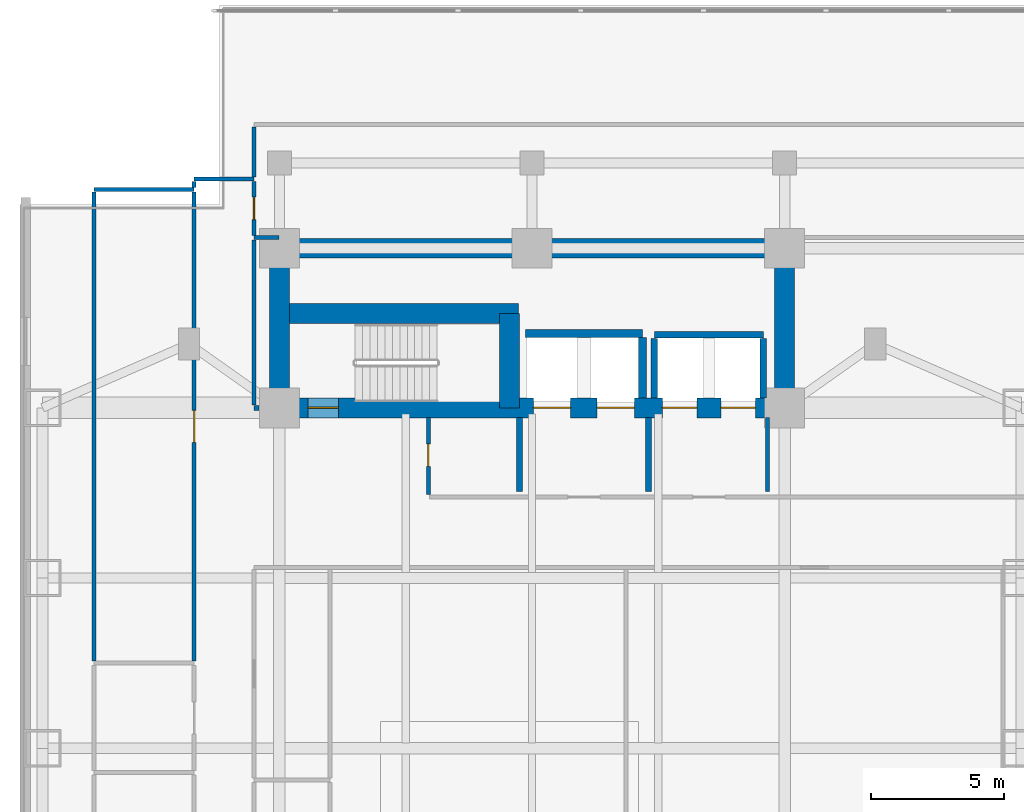
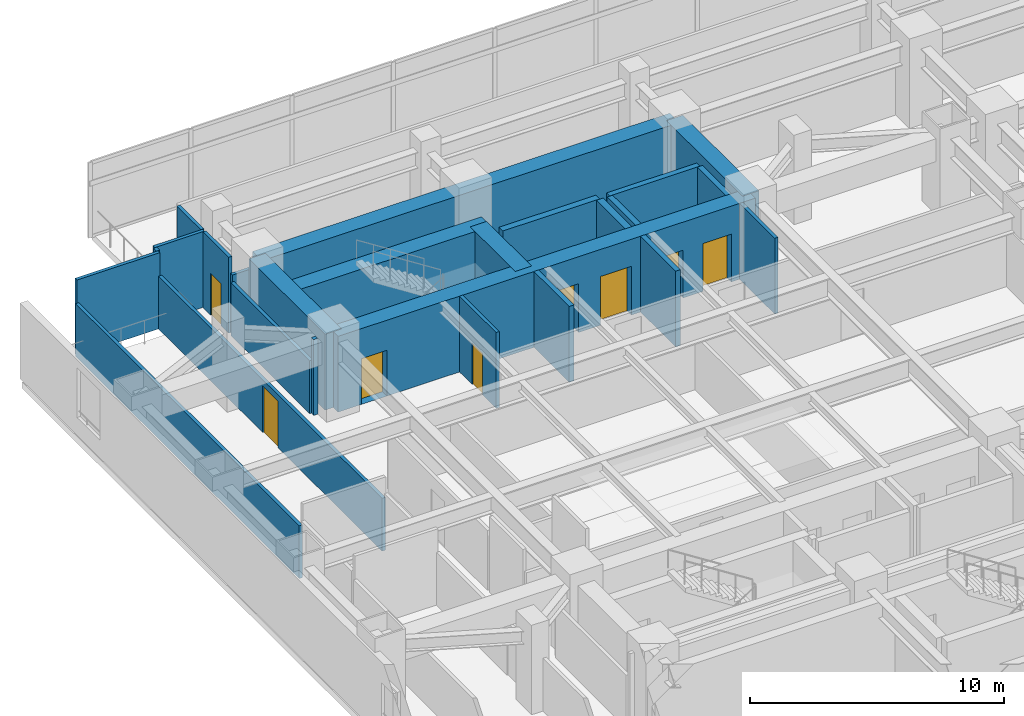
# One storey, part 15 of 26: 25 walls, 8 doors, 8 openings.
"""IFC4 building model written with IfcOpenShell, lengths in metres."""

from ifc_helpers import new_model, si_unit, direction, frame, frame_2d, origin, place, context, subcontext, project, spatial, rectangle, extrude, material, layer, layer_set, type_object, element, fill, save


model = new_model("IFC4")

# Units and contexts
model_context = context("Model", 3, precision=1e-05, world=origin(), true_north=direction((0.0, 1.0)))
body_context = subcontext(model_context, "Body", "Model", "MODEL_VIEW")
ifc_project = project(units=[si_unit("LENGTHUNIT", "METRE"), si_unit("AREAUNIT", "SQUARE_METRE"), si_unit("VOLUMEUNIT", "CUBIC_METRE"), si_unit("PLANEANGLEUNIT", "RADIAN"), si_unit("MASSUNIT", "GRAM", prefix="KILO")], contexts=[model_context])

# Site, building, storey
site_placement = place(None, origin())
site = spatial("IfcSite", under=ifc_project, at=site_placement, CompositionType="ELEMENT")
building_placement = place(site_placement, origin())
building = spatial("IfcBuilding", under=site, at=building_placement, Name="Mirazonda Arch Towers", CompositionType="ELEMENT")
storey_placement = place(building_placement, frame((0.0, 0.0, 13.800048828125)))
storey = spatial("IfcBuildingStorey", under=building, at=storey_placement, Name="L03", CompositionType="ELEMENT", Elevation=13.800048828125)

# Walls
ifc_material_1 = material(Name="Concrete C60/75", Category="concrete")
ifc_layer_1 = layer(ifc_material_1, 0.75, Name="WALL-CORE-750")
ifc_layer_set_1 = layer_set([ifc_layer_1], Name="Concrete C60/75")
wall_type_1 = type_object("IfcWallType", Name="WALL-CORE-750", PredefinedType="SHEAR", material=ifc_layer_set_1)
wall_1_placement = place(storey_placement, frame((11.0, 43.60009765625, 0.0), z_axis=(0.0, 0.0, 1.0), x_axis=(1.0, 0.0, 0.0)))
element("IfcWall", 1, at=wall_1_placement, inside=storey, type_object=wall_type_1, Name="L03 T1N-N Core Shear Wall", PredefinedType="SHEAR", context=body_context, shape_type="SweptSolid", body=[
    extrude(rectangle(XDim=19.0, YDim=0.75, at=frame_2d((9.5, 0.0))), origin(), (0.0, 0.0, 1.0), 3.64990234375),
])
for number, where, z_axis, x_axis, name in (
    (2, (11.0, 37.60009765625, 0.0), (0.0, 0.0, 1.0), (0.0, 1.0, 0.0), "L03 T1N-W Core Shear Wall"),
    (3, (30.0, 37.60009765625, 0.0), (0.0, 0.0, 1.0), (0.0, 1.0, 0.0), "L03 T1N-E Core Shear Wall"),
):
    element("IfcWall", number, at=place(storey_placement, frame(where, z_axis=z_axis, x_axis=x_axis)), inside=storey, type_object=wall_type_1, Name=name, PredefinedType="SHEAR", context=body_context, shape_type="SweptSolid", body=[
        extrude(rectangle(XDim=6.0, YDim=0.75, at=frame_2d((3.0, 0.0))), origin(), (0.0, 0.0, 1.0), 3.64990234375),
    ])

# Wall, openings, doors
wall_2_placement = place(storey_placement, frame((11.0, 37.60009765625, 0.0), z_axis=(0.0, 0.0, 1.0), x_axis=(1.0, 0.0, 0.0)))
wall_2 = element("IfcWall", 4, at=wall_2_placement, inside=storey, type_object=wall_type_1, Name="L03 T1N-S Core Shear Wall", PredefinedType="SHEAR", context=body_context, shape_type="SweptSolid", body=[
    extrude(rectangle(XDim=19.0, YDim=0.75, at=frame_2d((9.5, 0.0))), origin(), (0.0, 0.0, 1.0), 3.64990234375),
])
opening_1_placement = place(wall_2_placement, frame((1.070068359375, 0.0, 0.0)))
opening_1 = element("IfcOpeningElement", 5, at=opening_1_placement, cuts=wall_2, Name="Opening DR-135", PredefinedType="OPENING", context=body_context, shape_type="SweptSolid", body=[
    extrude(rectangle(XDim=1.14990234375, YDim=2.199951171875, at=frame_2d((0.574951171875, 1.10009765625))), frame((0.0, 0.385009765625, 0.0), z_axis=(0.0, -1.0, 0.0), x_axis=(1.0, 0.0, 0.0)), (0.0, 0.0, 1.0), 0.77001953125),
])
opening_2_placement = place(wall_2_placement, frame((9.550048828125, 0.0, 0.0)))
opening_2 = element("IfcOpeningElement", 6, at=opening_2_placement, cuts=wall_2, Name="Opening LD-112", PredefinedType="OPENING", context=body_context, shape_type="SweptSolid", body=[
    extrude(rectangle(XDim=1.39990234375, YDim=2.35009765625, at=frame_2d((0.699951171875, 1.175048828125))), frame((0.0, 0.385009765625, 0.0), z_axis=(0.0, -1.0, 0.0), x_axis=(1.0, 0.0, 0.0)), (0.0, 0.0, 1.0), 0.77001953125),
])
opening_3_placement = place(wall_2_placement, frame((11.949951171875, 0.0, 0.0)))
opening_3 = element("IfcOpeningElement", 7, at=opening_3_placement, cuts=wall_2, Name="Opening LD-112", PredefinedType="OPENING", context=body_context, shape_type="SweptSolid", body=[
    extrude(rectangle(XDim=1.39990234375, YDim=2.35009765625, at=frame_2d((0.699951171875, 1.175048828125))), frame((0.0, 0.385009765625, 0.0), z_axis=(0.0, -1.0, 0.0), x_axis=(1.0, 0.0, 0.0)), (0.0, 0.0, 1.0), 0.77001953125),
])
opening_4_placement = place(wall_2_placement, frame((14.39990234375, 0.0, 0.0)))
opening_4 = element("IfcOpeningElement", 8, at=opening_4_placement, cuts=wall_2, Name="Opening LD-111", PredefinedType="OPENING", context=body_context, shape_type="SweptSolid", body=[
    extrude(rectangle(XDim=1.300048828125, YDim=2.300048828125, at=frame_2d((0.64990234375, 1.14990234375))), frame((0.0, 0.385009765625, 0.0), z_axis=(0.0, -1.0, 0.0), x_axis=(1.0, 0.0, 0.0)), (0.0, 0.0, 1.0), 0.77001953125),
])
opening_5_placement = place(wall_2_placement, frame((16.60009765625, 0.0, 0.0)))
opening_5 = element("IfcOpeningElement", 9, at=opening_5_placement, cuts=wall_2, Name="Opening LD-111", PredefinedType="OPENING", context=body_context, shape_type="SweptSolid", body=[
    extrude(rectangle(XDim=1.300048828125, YDim=2.300048828125, at=frame_2d((0.64990234375, 1.14990234375))), frame((0.0, 0.385009765625, 0.0), z_axis=(0.0, -1.0, 0.0), x_axis=(1.0, 0.0, 0.0)), (0.0, 0.0, 1.0), 0.77001953125),
])
ifc_material_2 = material(Name="Architectural Brushed Steel S355", Category="steel")
door_type_1 = type_object("IfcDoorType", Name="DOOR-LIFT-FFL-1400", OperationType="NOTDEFINED", PredefinedType="DOOR", material=ifc_material_2)
door_1_placement = place(opening_2_placement, origin())
door_1 = element("IfcDoor", 10, at=door_1_placement, inside=storey, type_object=door_type_1, Name="L03 Lift Landing Sliding Door FFL-T1", OperationType="DOUBLE_DOOR_SLIDING", OverallHeight=2.35009765625, OverallWidth=1.39990234375, PredefinedType="DOOR", context=body_context, shape_type="SweptSolid", body=[
    extrude(rectangle(XDim=1.39990234375, YDim=2.35009765625, at=frame_2d((0.699951171875, 1.175048828125))), frame((0.0, 0.02490234375, 0.0), z_axis=(0.0, -1.0, 0.0), x_axis=(1.0, 0.0, 0.0)), (0.0, 0.0, 1.0), 0.050048828125),
])
fill(opening_2, door_1)
door_2_placement = place(opening_3_placement, origin())
door_2 = element("IfcDoor", 11, at=door_2_placement, inside=storey, type_object=door_type_1, Name="L03 Lift Landing Sliding Door SVL-T1", OperationType="DOUBLE_DOOR_SLIDING", OverallHeight=2.35009765625, OverallWidth=1.39990234375, PredefinedType="DOOR", context=body_context, shape_type="SweptSolid", body=[
    extrude(rectangle(XDim=1.39990234375, YDim=2.35009765625, at=frame_2d((0.699951171875, 1.175048828125))), frame((0.0, 0.02490234375, 0.0), z_axis=(0.0, -1.0, 0.0), x_axis=(1.0, 0.0, 0.0)), (0.0, 0.0, 1.0), 0.050048828125),
])
fill(opening_3, door_2)
door_type_2 = type_object("IfcDoorType", Name="DOOR-LIFT-LAND-1300", OperationType="NOTDEFINED", PredefinedType="DOOR", material=ifc_material_2)
door_3_placement = place(opening_4_placement, origin())
door_3 = element("IfcDoor", 12, at=door_3_placement, inside=storey, type_object=door_type_2, Name="L03 Lift Landing Sliding Door PL-T1L1", OperationType="DOUBLE_DOOR_SLIDING", OverallHeight=2.300048828125, OverallWidth=1.300048828125, PredefinedType="DOOR", context=body_context, shape_type="SweptSolid", body=[
    extrude(rectangle(XDim=1.300048828125, YDim=2.300048828125, at=frame_2d((0.64990234375, 1.14990234375))), frame((0.0, 0.02490234375, 0.0), z_axis=(0.0, -1.0, 0.0), x_axis=(1.0, 0.0, 0.0)), (0.0, 0.0, 1.0), 0.050048828125),
])
fill(opening_4, door_3)
door_4_placement = place(opening_5_placement, origin())
door_4 = element("IfcDoor", 13, at=door_4_placement, inside=storey, type_object=door_type_2, Name="L03 Lift Landing Sliding Door PL-T1L2", OperationType="DOUBLE_DOOR_SLIDING", OverallHeight=2.300048828125, OverallWidth=1.300048828125, PredefinedType="DOOR", context=body_context, shape_type="SweptSolid", body=[
    extrude(rectangle(XDim=1.300048828125, YDim=2.300048828125, at=frame_2d((0.64990234375, 1.14990234375))), frame((0.0, 0.02490234375, 0.0), z_axis=(0.0, -1.0, 0.0), x_axis=(1.0, 0.0, 0.0)), (0.0, 0.0, 1.0), 0.050048828125),
])
fill(opening_5, door_4)
door_type_3 = type_object("IfcDoorType", Name="DOOR-STAIR-FD90-1150", OperationType="NOTDEFINED", PredefinedType="DOOR", material=ifc_material_2)
door_5_placement = place(opening_1_placement, origin())
door_5 = element("IfcDoor", 14, at=door_5_placement, inside=storey, type_object=door_type_3, Name="L03 Protected Exit Stair North Door", OperationType="SINGLE_SWING_RIGHT", OverallHeight=2.199951171875, OverallWidth=1.14990234375, PredefinedType="DOOR", context=body_context, shape_type="SweptSolid", body=[
    extrude(rectangle(XDim=1.14990234375, YDim=2.199951171875, at=frame_2d((0.574951171875, 1.10009765625))), frame((0.0, 0.02490234375, 0.0), z_axis=(0.0, -1.0, 0.0), x_axis=(1.0, 0.0, 0.0)), (0.0, 0.0, 1.0), 0.050048828125),
])
fill(opening_1, door_5)

# Walls
wall_3_placement = place(storey_placement, frame((11.0, 41.14306640625, 0.0), z_axis=(0.0, 0.0, 1.0), x_axis=(1.0, 0.0, 0.0)))
element("IfcWall", 15, at=wall_3_placement, inside=storey, type_object=wall_type_1, Name="L03 T1N-STN Core Shear Wall", PredefinedType="SHEAR", context=body_context, shape_type="SweptSolid", body=[
    extrude(rectangle(XDim=9.0, YDim=0.75, at=frame_2d((4.5, 0.0))), origin(), (0.0, 0.0, 1.0), 3.64990234375),
])
wall_4_placement = place(storey_placement, frame((19.64990234375, 37.60009765625, 0.0), z_axis=(0.0, 0.0, 1.0), x_axis=(0.0, 1.0, 0.0)))
element("IfcWall", 16, at=wall_4_placement, inside=storey, type_object=wall_type_1, Name="L03 T1N-STE Core Shear Wall", PredefinedType="SHEAR", context=body_context, shape_type="SweptSolid", body=[
    extrude(rectangle(XDim=3.54296875, YDim=0.75, at=frame_2d((1.771484375, 0.0))), origin(), (0.0, 0.0, 1.0), 3.64990234375),
])
ifc_material_3 = material(Name="Concrete C40/50", Category="concrete")
ifc_layer_2 = layer(ifc_material_3, 0.219970703125, Name="WALL-FFL-220")
ifc_layer_set_2 = layer_set([ifc_layer_2], Name="Concrete C40/50")
wall_type_2 = type_object("IfcWallType", Name="WALL-FFL-220", PredefinedType="SOLIDWALL", material=ifc_layer_set_2)
for number, where, z_axis, x_axis, name in (
    (17, (20.02490234375, 34.449951171875, 0.0), (0.0, 0.0, 1.0), (0.0, 1.0, 0.0), "L03 Interior Partition 080"),
    (18, (24.875, 34.449951171875, 0.0), (0.0, 0.0, 1.0), (0.0, 1.0, 0.0), "L03 Interior Partition 088"),
):
    element("IfcWall", number, at=place(storey_placement, frame(where, z_axis=z_axis, x_axis=x_axis)), inside=storey, type_object=wall_type_2, Name=name, PredefinedType="SOLIDWALL", context=body_context, shape_type="SweptSolid", body=[
        extrude(rectangle(XDim=2.780029296875, YDim=0.219970703125, at=frame_2d((1.39013671875, 0.0))), origin(), (0.0, 0.0, 1.0), 3.64990234375),
    ])
ifc_material_4 = material(Name="Fire-Rated Gypsum Stud Partition")
ifc_layer_3 = layer(ifc_material_4, 0.14990234375, Name="WALL-PART-CORR-150")
ifc_layer_set_3 = layer_set([ifc_layer_3], Name="Fire-Rated Gypsum Stud Partition")
wall_type_3 = type_object("IfcWallType", Name="WALL-PART-CORR-150", PredefinedType="PARTITIONING", material=ifc_layer_set_3)
wall_5_placement = place(storey_placement, frame((10.050048828125, 44.0, 0.0), z_axis=(0.0, 0.0, 1.0), x_axis=(1.0, 0.0, 0.0)))
element("IfcWall", 19, at=wall_5_placement, inside=storey, type_object=wall_type_3, Name="L03 Interior Partition 055", PredefinedType="PARTITIONING", context=body_context, shape_type="SweptSolid", body=[
    extrude(rectangle(XDim=0.929931640625, YDim=0.14990234375, at=frame_2d((0.46484375, 0.0))), origin(), (0.0, 0.0, 1.0), 2.868896484375),
])
wall_6_placement = place(storey_placement, frame((4.02490234375, 45.800048828125, 0.0), z_axis=(0.0, 0.0, 1.0), x_axis=(1.0, 0.0, 0.0)))
element("IfcWall", 20, at=wall_6_placement, inside=storey, type_object=wall_type_3, Name="L03 Interior Partition 057", PredefinedType="PARTITIONING", context=body_context, shape_type="SweptSolid", body=[
    extrude(rectangle(XDim=3.775146484375, YDim=0.14990234375, at=frame_2d((1.8876953125, 0.0))), origin(), (0.0, 0.0, 1.0), 3.64990234375),
])
wall_7_placement = place(storey_placement, frame((7.800048828125, 46.199951171875, 0.0), z_axis=(0.0, 0.0, 1.0), x_axis=(1.0, 0.0, 0.0)))
element("IfcWall", 21, at=wall_7_placement, inside=storey, type_object=wall_type_3, Name="L03 Interior Partition 058", PredefinedType="PARTITIONING", context=body_context, shape_type="SweptSolid", body=[
    extrude(rectangle(XDim=2.25, YDim=0.14990234375, at=frame_2d((1.125, 0.0))), origin(), (0.0, 0.0, 1.0), 3.64990234375),
])
wall_8_placement = place(storey_placement, frame((4.02490234375, 28.0849609375, 0.0), z_axis=(0.0, 0.0, 1.0), x_axis=(0.0, 1.0, 0.0)))
element("IfcWall", 22, at=wall_8_placement, inside=storey, type_object=wall_type_3, Name="L03 Interior Partition 063", PredefinedType="PARTITIONING", context=body_context, shape_type="SweptSolid", body=[
    extrude(rectangle(XDim=17.630126953125, YDim=0.14990234375, at=frame_2d((8.81494140625, 0.0))), origin(), (0.0, 0.0, 1.0), 2.5419921875),
])

# Wall, opening, door
wall_9_placement = place(storey_placement, frame((7.800048828125, 28.0849609375, 0.0), z_axis=(0.0, 0.0, 1.0), x_axis=(0.0, 1.0, 0.0)))
wall_9 = element("IfcWall", 23, at=wall_9_placement, inside=storey, type_object=wall_type_3, Name="L03 Interior Partition 067", PredefinedType="PARTITIONING", context=body_context, shape_type="SweptSolid", body=[
    extrude(rectangle(XDim=17.630126953125, YDim=0.14990234375, at=frame_2d((8.81494140625, 0.0))), origin(), (0.0, 0.0, 1.0), 2.5419921875),
])
opening_6_placement = place(wall_9_placement, frame((8.215087890625, 0.0, 0.0)))
opening_6 = element("IfcOpeningElement", 24, at=opening_6_placement, cuts=wall_9, Name="Opening DR-117", PredefinedType="OPENING", context=body_context, shape_type="SweptSolid", body=[
    extrude(rectangle(XDim=1.199951171875, YDim=2.25, at=frame_2d((0.60009765625, 1.125))), frame((0.0, 0.0849609375, 0.0), z_axis=(0.0, -1.0, 0.0), x_axis=(1.0, 0.0, 0.0)), (0.0, 0.0, 1.0), 0.169921875),
])
door_type_4 = type_object("IfcDoorType", Name="DOOR-FFL-FD90-1200", OperationType="NOTDEFINED", PredefinedType="DOOR", material=ifc_material_2)
door_6_placement = place(opening_6_placement, origin())
door_6 = element("IfcDoor", 25, at=door_6_placement, inside=storey, type_object=door_type_4, Name="L03 Executive Business Delegate Lounge 3 Door", OperationType="SINGLE_SWING_RIGHT", OverallHeight=2.25, OverallWidth=1.199951171875, PredefinedType="DOOR", context=body_context, shape_type="SweptSolid", body=[
    extrude(rectangle(XDim=1.199951171875, YDim=2.25, at=frame_2d((0.60009765625, 1.125))), frame((0.0, 0.02490234375, 0.0), z_axis=(0.0, -1.0, 0.0), x_axis=(1.0, 0.0, 0.0)), (0.0, 0.0, 1.0), 0.050048828125),
])
fill(opening_6, door_6)

# Walls
wall_10_placement = place(storey_placement, frame((7.800048828125, 45.885009765625, 0.0), z_axis=(0.0, 0.0, 1.0), x_axis=(0.0, 1.0, 0.0)))
element("IfcWall", 26, at=wall_10_placement, inside=storey, type_object=wall_type_3, Name="L03 Interior Partition 068", PredefinedType="PARTITIONING", context=body_context, shape_type="SweptSolid", body=[
    extrude(rectangle(XDim=0.22998046875, YDim=0.14990234375, at=frame_2d((0.114990234375, 0.0))), origin(), (0.0, 0.0, 1.0), 3.64990234375),
])
wall_11_placement = place(storey_placement, frame((10.050048828125, 37.702392578125, 0.0), z_axis=(0.0, 0.0, 1.0), x_axis=(0.0, 1.0, 0.0)))
element("IfcWall", 27, at=wall_11_placement, inside=storey, type_object=wall_type_3, Name="L03 Interior Partition 073", PredefinedType="PARTITIONING", context=body_context, shape_type="SweptSolid", body=[
    extrude(rectangle(XDim=6.212646484375, YDim=0.14990234375, at=frame_2d((3.1064453125, 0.0))), origin(), (0.0, 0.0, 1.0), 2.5419921875),
])

# Wall, opening, door
wall_12_placement = place(storey_placement, frame((10.050048828125, 44.0849609375, 0.0), z_axis=(0.0, 0.0, 1.0), x_axis=(0.0, 1.0, 0.0)))
wall_12 = element("IfcWall", 28, at=wall_12_placement, inside=storey, type_object=wall_type_3, Name="L03 Interior Partition 074", PredefinedType="PARTITIONING", context=body_context, shape_type="SweptSolid", body=[
    extrude(rectangle(XDim=2.030029296875, YDim=0.14990234375, at=frame_2d((1.01513671875, 0.0))), origin(), (0.0, 0.0, 1.0), 3.64990234375),
])
opening_7_placement = place(wall_12_placement, frame((0.590087890625, 0.0, 0.0)))
opening_7 = element("IfcOpeningElement", 29, at=opening_7_placement, cuts=wall_12, Name="Opening DR-128", PredefinedType="OPENING", context=body_context, shape_type="SweptSolid", body=[
    extrude(rectangle(XDim=0.85009765625, YDim=2.010009765625, at=frame_2d((0.425048828125, 1.0048828125))), frame((0.0, 0.0849609375, 0.0), z_axis=(0.0, -1.0, 0.0), x_axis=(1.0, 0.0, 0.0)), (0.0, 0.0, 1.0), 0.169921875),
])
door_type_5 = type_object("IfcDoorType", Name="DOOR-RISER-FD60-850", OperationType="NOTDEFINED", PredefinedType="DOOR", material=ifc_material_2)
door_7_placement = place(opening_7_placement, origin())
door_7 = element("IfcDoor", 30, at=door_7_placement, inside=storey, type_object=door_type_5, Name="L03 L03 Arch-Span North Salon Door", OperationType="SINGLE_SWING_LEFT", OverallHeight=2.010009765625, OverallWidth=0.85009765625, PredefinedType="DOOR", context=body_context, shape_type="SweptSolid", body=[
    extrude(rectangle(XDim=0.85009765625, YDim=2.010009765625, at=frame_2d((0.425048828125, 1.0048828125))), frame((0.0, 0.02490234375, 0.0), z_axis=(0.0, -1.0, 0.0), x_axis=(1.0, 0.0, 0.0)), (0.0, 0.0, 1.0), 0.050048828125),
])
fill(opening_7, door_7)

# Wall
wall_13_placement = place(storey_placement, frame((10.050048828125, 46.284912109375, 0.0), z_axis=(0.0, 0.0, 1.0), x_axis=(0.0, 1.0, 0.0)))
element("IfcWall", 31, at=wall_13_placement, inside=storey, type_object=wall_type_3, Name="L03 Interior Partition 075", PredefinedType="PARTITIONING", context=body_context, shape_type="SweptSolid", body=[
    extrude(rectangle(XDim=1.880126953125, YDim=0.14990234375, at=frame_2d((0.93994140625, 0.0))), origin(), (0.0, 0.0, 1.0), 3.64990234375),
])

# Wall, opening, door
wall_14_placement = place(storey_placement, frame((16.60009765625, 34.3349609375, 0.0), z_axis=(0.0, 0.0, 1.0), x_axis=(0.0, 1.0, 0.0)))
wall_14 = element("IfcWall", 32, at=wall_14_placement, inside=storey, type_object=wall_type_3, Name="L03 Interior Partition 078", PredefinedType="PARTITIONING", context=body_context, shape_type="SweptSolid", body=[
    extrude(rectangle(XDim=2.89501953125, YDim=0.14990234375, at=frame_2d((1.447509765625, 0.0))), origin(), (0.0, 0.0, 1.0), 3.64990234375),
])
opening_8_placement = place(wall_14_placement, frame((1.06005859375, 0.0, 0.0)))
opening_8 = element("IfcOpeningElement", 33, at=opening_8_placement, cuts=wall_14, Name="Opening DR-128", PredefinedType="OPENING", context=body_context, shape_type="SweptSolid", body=[
    extrude(rectangle(XDim=0.85009765625, YDim=2.010009765625, at=frame_2d((0.425048828125, 1.0048828125))), frame((0.0, 0.0849609375, 0.0), z_axis=(0.0, -1.0, 0.0), x_axis=(1.0, 0.0, 0.0)), (0.0, 0.0, 1.0), 0.169921875),
])
door_8_placement = place(opening_8_placement, origin())
door_8 = element("IfcDoor", 34, at=door_8_placement, inside=storey, type_object=door_type_5, Name="L03 Electrical & Housekeeping Service Room Door", OperationType="SINGLE_SWING_LEFT", OverallHeight=2.010009765625, OverallWidth=0.85009765625, PredefinedType="DOOR", context=body_context, shape_type="SweptSolid", body=[
    extrude(rectangle(XDim=0.85009765625, YDim=2.010009765625, at=frame_2d((0.425048828125, 1.0048828125))), frame((0.0, 0.02490234375, 0.0), z_axis=(0.0, -1.0, 0.0), x_axis=(1.0, 0.0, 0.0)), (0.0, 0.0, 1.0), 0.050048828125),
])
fill(opening_8, door_8)

# Walls
wall_15_placement = place(storey_placement, frame((29.35009765625, 34.449951171875, 0.0), z_axis=(0.0, 0.0, 1.0), x_axis=(0.0, 1.0, 0.0)))
element("IfcWall", 35, at=wall_15_placement, inside=storey, type_object=wall_type_3, Name="L03 Interior Partition 092", PredefinedType="PARTITIONING", context=body_context, shape_type="SweptSolid", body=[
    extrude(rectangle(XDim=2.780029296875, YDim=0.14990234375, at=frame_2d((1.39013671875, 0.0))), origin(), (0.0, 0.0, 1.0), 3.64990234375),
])
ifc_layer_4 = layer(ifc_material_3, 0.25, Name="WALL-SHAFT-250")
ifc_layer_set_4 = layer_set([ifc_layer_4], Name="Concrete C40/50")
wall_type_4 = type_object("IfcWallType", Name="WALL-SHAFT-250", PredefinedType="SOLIDWALL", material=ifc_layer_set_4)
wall_16_placement = place(storey_placement, frame((25.10009765625, 40.35009765625, 0.0), z_axis=(0.0, 0.0, 1.0), x_axis=(1.0, 0.0, 0.0)))
element("IfcWall", 36, at=wall_16_placement, inside=storey, type_object=wall_type_4, Name="L03 Interior Partition 052", PredefinedType="SOLIDWALL", context=body_context, shape_type="SweptSolid", body=[
    extrude(rectangle(XDim=4.099853515625, YDim=0.25, at=frame_2d((2.0498046875, 0.0))), origin(), (0.0, 0.0, 1.0), 3.64990234375),
])
for number, where, z_axis, x_axis, name in (
    (37, (25.10009765625, 37.969970703125, 0.0), (0.0, 0.0, 1.0), (0.0, 1.0, 0.0), "L03 Interior Partition 089"),
    (38, (29.199951171875, 37.969970703125, 0.0), (0.0, 0.0, 1.0), (0.0, 1.0, 0.0), "L03 Interior Partition 093"),
):
    element("IfcWall", number, at=place(storey_placement, frame(where, z_axis=z_axis, x_axis=x_axis)), inside=storey, type_object=wall_type_4, Name=name, PredefinedType="SOLIDWALL", context=body_context, shape_type="SweptSolid", body=[
        extrude(rectangle(XDim=2.2451171875, YDim=0.25, at=frame_2d((1.12255859375, 0.0))), origin(), (0.0, 0.0, 1.0), 3.64990234375),
    ])
ifc_material_5 = material(Name="Concrete C50/60", Category="concrete")
ifc_layer_5 = layer(ifc_material_5, 0.300048828125, Name="WALL-SHAFT-300")
ifc_layer_set_5 = layer_set([ifc_layer_5], Name="Concrete C50/60")
wall_type_5 = type_object("IfcWallType", Name="WALL-SHAFT-300", PredefinedType="SOLIDWALL", material=ifc_layer_set_5)
wall_17_placement = place(storey_placement, frame((20.25, 40.39990234375, 0.0), z_axis=(0.0, 0.0, 1.0), x_axis=(1.0, 0.0, 0.0)))
element("IfcWall", 39, at=wall_17_placement, inside=storey, type_object=wall_type_5, Name="L03 Interior Partition 053", PredefinedType="SOLIDWALL", context=body_context, shape_type="SweptSolid", body=[
    extrude(rectangle(XDim=4.39990234375, YDim=0.300048828125, at=frame_2d((2.199951171875, 0.0))), origin(), (0.0, 0.0, 1.0), 3.64990234375),
])
wall_18_placement = place(storey_placement, frame((24.64990234375, 37.969970703125, 0.0), z_axis=(0.0, 0.0, 1.0), x_axis=(0.0, 1.0, 0.0)))
element("IfcWall", 40, at=wall_18_placement, inside=storey, type_object=wall_type_5, Name="L03 Interior Partition 086", PredefinedType="SOLIDWALL", context=body_context, shape_type="SweptSolid", body=[
    extrude(rectangle(XDim=2.27001953125, YDim=0.300048828125, at=frame_2d((1.135009765625, 0.0))), origin(), (0.0, 0.0, 1.0), 3.64990234375),
])
ifc_layer_6 = layer(ifc_material_5, 0.18505859375, Name="WALL-STAIR-CORE-185")
ifc_layer_set_6 = layer_set([ifc_layer_6], Name="Concrete C50/60")
wall_type_6 = type_object("IfcWallType", Name="WALL-STAIR-CORE-185", PredefinedType="SHEAR", material=ifc_layer_set_6)
wall_19_placement = place(storey_placement, frame((10.050048828125, 37.60009765625, 0.0), z_axis=(0.0, 0.0, 1.0), x_axis=(1.0, 0.0, 0.0)))
element("IfcWall", 41, at=wall_19_placement, inside=storey, type_object=wall_type_6, Name="L03 Stair Core Shear Wall 048", PredefinedType="SHEAR", context=body_context, shape_type="SweptSolid", body=[
    extrude(rectangle(XDim=0.18505859375, YDim=0.18505859375, at=frame_2d((0.092529296875, 0.0))), origin(), (0.0, 0.0, 1.0), 3.64990234375),
])

save(model, "model.ifc")
